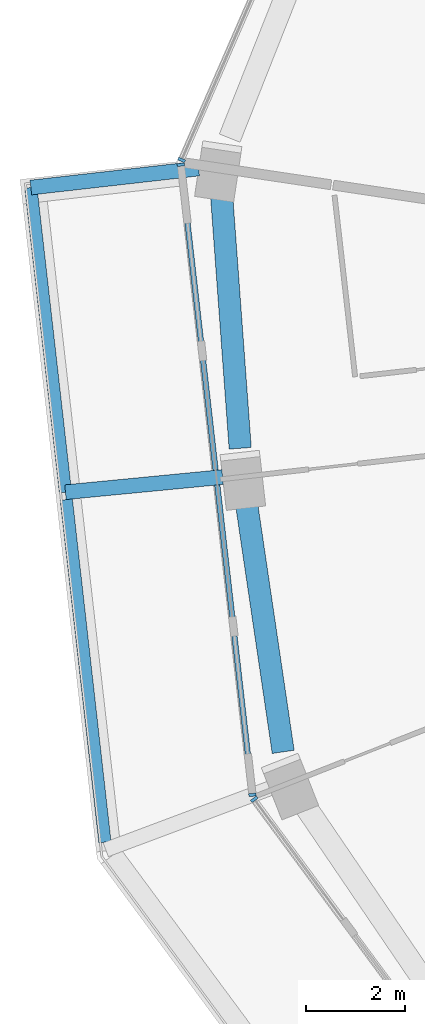
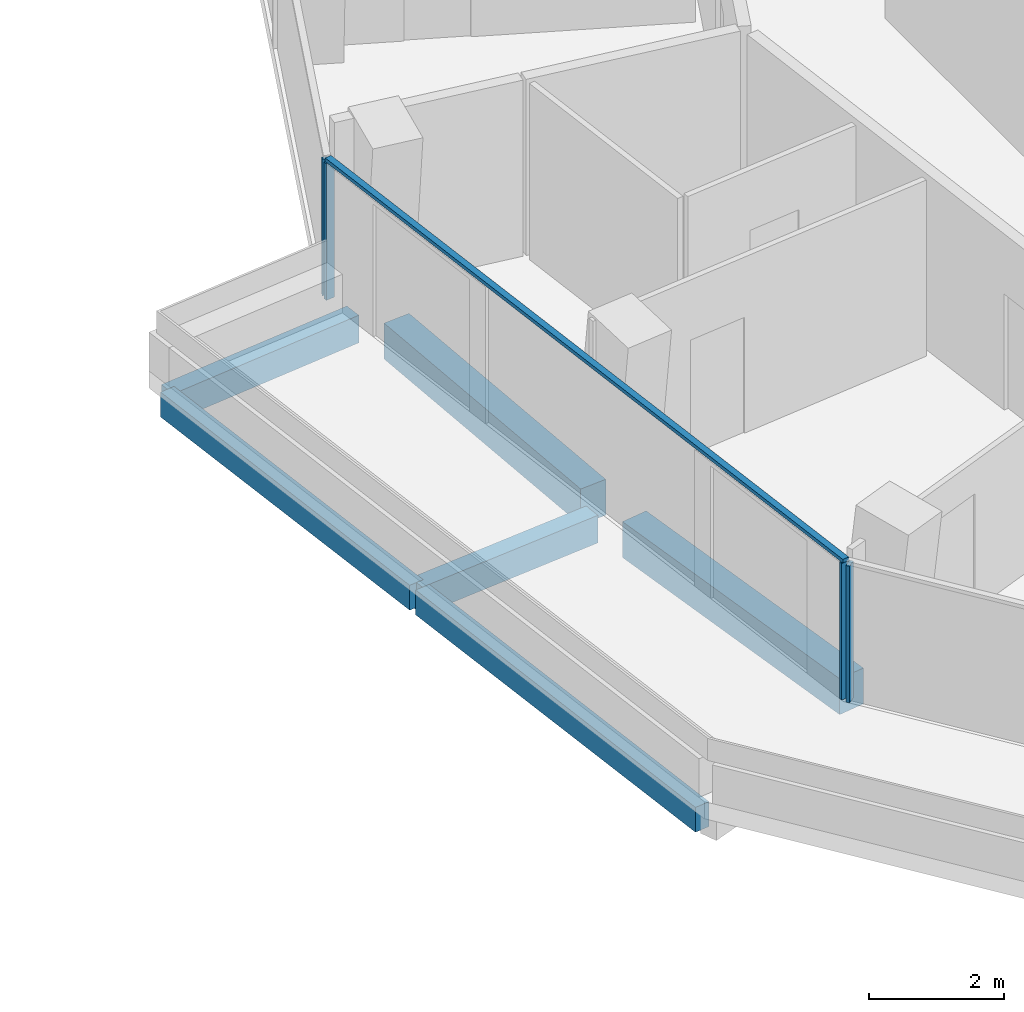
# One storey, part 4 of 23: 6 beams, 5 members, 3 elements without a shape of their own.
"""IFC4 building model written with IfcOpenShell, lengths in metres."""

from ifc_helpers import new_model, si_unit, direction, frame, origin, origin_2d, place, context, subcontext, project, spatial, rectangle, extrude, material, layer, layer_set, material_profile, profile_set, type_object, element, aggregate, save


model = new_model("IFC4")

# Units and contexts
model_context = context("Model", 3, precision=1e-05, world=origin(), true_north=direction((0.0, 1.0)))
body_context = subcontext(model_context, "Body", "Model", "MODEL_VIEW")
ifc_project = project(units=[si_unit("LENGTHUNIT", "METRE"), si_unit("AREAUNIT", "SQUARE_METRE"), si_unit("VOLUMEUNIT", "CUBIC_METRE"), si_unit("PLANEANGLEUNIT", "RADIAN"), si_unit("MASSUNIT", "GRAM", prefix="KILO")], contexts=[model_context])

# Site, building, storey
site_placement = place(None, origin())
site = spatial("IfcSite", under=ifc_project, at=site_placement, CompositionType="ELEMENT")
building_placement = place(site_placement, origin())
building = spatial("IfcBuilding", under=site, at=building_placement, Name="Verdalira Terraces Hotel", CompositionType="ELEMENT")
storey_placement = place(building_placement, frame((0.0, 0.0, 183.5)))
storey = spatial("IfcBuildingStorey", under=building, at=storey_placement, Name="L44", CompositionType="ELEMENT", Elevation=183.5)

# Beams
ifc_material_1 = material(Name="Concrete C40", Category="concrete")
ifc_material_profile_1 = material_profile(ifc_material_1, rectangle(XDim=0.300049, YDim=0.5, at=origin_2d()), Name="RC 300X500")
ifc_profile_set_1 = profile_set([ifc_material_profile_1], Name="Concrete C40")
beam_type_1 = type_object("IfcBeamType", Name="Balcony cantilever beam RC 300X500 C40", PredefinedType="BEAM", material=ifc_profile_set_1)
beam_1_placement = place(storey_placement, frame((-24.39502, 3.582031, -0.560059), z_axis=(-0.993615615, -0.112818482, 0.0), x_axis=(0.112818482, -0.993615615, 0.0)))
element("IfcBeam", 1, at=beam_1_placement, inside=storey, type_object=beam_type_1, Name="Balcony cantilever beam R12-3", PredefinedType="BEAM", context=body_context, shape_type="SweptSolid", body=[
    extrude(rectangle(XDim=0.300049, YDim=0.5, at=origin_2d()), origin(), (0.0, 0.0, 1.0), 3.423584),
])
beam_2_placement = place(storey_placement, frame((-23.908936, -2.673584, -0.560059), z_axis=(-0.995363921, -0.096180376, 0.0), x_axis=(0.096180376, -0.995363921, 0.0)))
element("IfcBeam", 2, at=beam_2_placement, inside=storey, type_object=beam_type_1, Name="Balcony cantilever beam R12-4", PredefinedType="BEAM", context=body_context, shape_type="SweptSolid", body=[
    extrude(rectangle(XDim=0.300049, YDim=0.5, at=origin_2d()), origin(), (0.0, 0.0, 1.0), 3.200928),
])
ifc_material_2 = material(Name="Concrete C40", Category="concrete")
ifc_material_profile_2 = material_profile(ifc_material_2, rectangle(XDim=0.25, YDim=0.449951, at=origin_2d()), Name="RC 250X450")
ifc_profile_set_2 = profile_set([ifc_material_profile_2], Name="Concrete C40")
beam_type_2 = type_object("IfcBeamType", Name="Balcony edge beam RC 250X450 C40", PredefinedType="BEAM", material=ifc_profile_set_2)
beam_3_placement = place(storey_placement, frame((-27.796631, 3.195801, -0.534912), z_axis=(0.112862107, -0.993610661, 0.0), x_axis=(0.993610661, 0.112862107, 0.0)))
element("IfcBeam", 3, at=beam_3_placement, inside=storey, type_object=beam_type_2, Name="Balcony edge beam R12-2", PredefinedType="BEAM", context=body_context, shape_type="SweptSolid", body=[
    extrude(rectangle(XDim=0.25, YDim=0.449951, at=origin_2d()), origin(), (0.0, 0.0, 1.0), 6.217041),
])
beam_4_placement = place(storey_placement, frame((-27.078125, -3.130615, -0.534912), z_axis=(0.112041367, -0.993703543, 0.0), x_axis=(0.993703543, 0.112041367, 0.0)))
element("IfcBeam", 4, at=beam_4_placement, inside=storey, type_object=beam_type_2, Name="Balcony edge beam R12-3", PredefinedType="BEAM", context=body_context, shape_type="SweptSolid", body=[
    extrude(rectangle(XDim=0.25, YDim=0.449951, at=origin_2d()), origin(), (0.0, 0.0, 1.0), 6.990234),
])

# Curtain wall, member
ifc_material_3 = material(Name="Clear glass", Category="glass")
ifc_layer = layer(ifc_material_3, 0.14990234375)
ifc_layer_set = layer_set([ifc_layer], Name="CW1 curtain wall")
curtain_wall_type = type_object("IfcCurtainWallType", Name="CW1 curtain wall", PredefinedType="NOTDEFINED", material=ifc_layer_set)
curtain_wall_1_placement = place(storey_placement, origin())
curtain_wall_1 = element("IfcCurtainWall", 5, at=curtain_wall_1_placement, inside=storey, type_object=curtain_wall_type, Name="CW1 curtain wall L44 edge 11", PredefinedType="NOTDEFINED")
ifc_material_4 = material(Name="Terracotta frame", Category="masonry")
ifc_material_profile_3 = material_profile(ifc_material_4, rectangle(XDim=0.060059, YDim=0.149902, at=origin_2d()), Name="MU 60x150")
ifc_profile_set_3 = profile_set([ifc_material_profile_3], Name="Terracotta frame")
member_type_1 = type_object("IfcMemberType", Name="CW1 mullion 60x150", PredefinedType="MULLION", material=ifc_profile_set_3)
member_1_placement = place(storey_placement, frame((-24.740234, 3.755127, 0.0), z_axis=(0.0, 0.0, 1.0), x_axis=(-0.399069159, -0.916920829, 0.0)))
member_1 = element("IfcMember", 6, at=member_1_placement, type_object=member_type_1, Name="CW1 mullion", PredefinedType="MULLION", context=body_context, shape_type="SweptSolid", body=[
    extrude(rectangle(XDim=0.060059, YDim=0.149902, at=origin_2d()), origin(), (0.0, 0.0, 1.0), 2.475098),
])
aggregate(curtain_wall_1, [member_1])

# Curtain wall, members
curtain_wall_2_placement = place(storey_placement, origin())
curtain_wall_2 = element("IfcCurtainWall", 7, at=curtain_wall_2_placement, inside=storey, type_object=curtain_wall_type, Name="CW1 curtain wall L44 edge 12", PredefinedType="NOTDEFINED")
member_2_placement = place(storey_placement, frame((-24.754395, 3.659424, 0.0), z_axis=(0.0, 0.0, 1.0), x_axis=(0.112856385, -0.993611311, 0.0)))
member_2 = element("IfcMember", 8, at=member_2_placement, type_object=member_type_1, Name="CW1 mullion", PredefinedType="MULLION", context=body_context, shape_type="SweptSolid", body=[
    extrude(rectangle(XDim=0.060059, YDim=0.149902, at=origin_2d()), origin(), (0.0, 0.0, 1.0), 2.475098),
])
member_3_placement = place(storey_placement, frame((-23.303223, -9.11792, 0.0), z_axis=(0.0, 0.0, 1.0), x_axis=(0.112856385, -0.993611311, 0.0)))
member_3 = element("IfcMember", 9, at=member_3_placement, type_object=member_type_1, Name="CW1 mullion", PredefinedType="MULLION", context=body_context, shape_type="SweptSolid", body=[
    extrude(rectangle(XDim=0.060059, YDim=0.149902, at=origin_2d()), origin(), (0.0, 0.0, 1.0), 2.475098),
])

# Curtain wall, member
curtain_wall_3_placement = place(storey_placement, origin())
curtain_wall_3 = element("IfcCurtainWall", 10, at=curtain_wall_3_placement, inside=storey, type_object=curtain_wall_type, Name="CW1 curtain wall L44 edge 13", PredefinedType="NOTDEFINED")
member_4_placement = place(storey_placement, frame((-23.267822, -9.208008, 0.0), z_axis=(0.0, 0.0, 1.0), x_axis=(0.594542152, -0.804064444, 0.0)))
member_4 = element("IfcMember", 11, at=member_4_placement, type_object=member_type_1, Name="CW1 mullion", PredefinedType="MULLION", context=body_context, shape_type="SweptSolid", body=[
    extrude(rectangle(XDim=0.060059, YDim=0.149902, at=origin_2d()), origin(), (0.0, 0.0, 1.0), 2.475098),
])
aggregate(curtain_wall_3, [member_4])

# Member
ifc_material_5 = material(Name="Terracotta frame", Category="masonry")
ifc_material_profile_4 = material_profile(ifc_material_5, rectangle(XDim=0.110107, YDim=0.064941, at=origin_2d()), Name="TR 65x110")
ifc_profile_set_4 = profile_set([ifc_material_profile_4], Name="Terracotta frame")
member_type_2 = type_object("IfcMemberType", Name="CW1 transom 65x110", PredefinedType="USERDEFINED", material=ifc_profile_set_4)
member_5_placement = place(storey_placement, frame((-24.757812, 3.689209, 2.507568), z_axis=(0.112853719, -0.993611613, 0.0), x_axis=(0.993611613, 0.112853719, 0.0)))
member_5 = element("IfcMember", 12, at=member_5_placement, type_object=member_type_2, Name="CW1 transom", ObjectType="TRANSOM", PredefinedType="USERDEFINED", context=body_context, shape_type="SweptSolid", body=[
    extrude(rectangle(XDim=0.110107, YDim=0.064941, at=origin_2d()), origin(), (0.0, 0.0, 1.0), 12.919434),
])

aggregate(curtain_wall_2, [member_2, member_3, member_5])

# Beams
ifc_material_6 = material(Name="Concrete C50", Category="concrete")
ifc_material_profile_5 = material_profile(ifc_material_6, rectangle(XDim=0.449951, YDim=0.649902, at=origin_2d()), Name="RC 450X650")
ifc_profile_set_5 = profile_set([ifc_material_profile_5], Name="Concrete C50")
beam_type_3 = type_object("IfcBeamType", Name="Spandrel beam RC 450X650 C50", PredefinedType="SPANDREL", material=ifc_profile_set_5)
beam_5_placement = place(storey_placement, frame((-23.933105, 3.087402, -0.63501), z_axis=(0.073398843, -0.997302667, 0.0), x_axis=(0.997302667, 0.073398843, 0.0)))
element("IfcBeam", 13, at=beam_5_placement, inside=storey, type_object=beam_type_3, Name="Spandrel beam B06", PredefinedType="SPANDREL", context=body_context, shape_type="SweptSolid", body=[
    extrude(rectangle(XDim=0.449951, YDim=0.649902, at=origin_2d()), origin(), (0.0, 0.0, 1.0), 5.192139),
])
beam_6_placement = place(storey_placement, frame((-23.438721, -3.112305, -0.63501), z_axis=(0.146122399, -0.989266518, 0.0), x_axis=(0.989266518, 0.146122399, 0.0)))
element("IfcBeam", 14, at=beam_6_placement, inside=storey, type_object=beam_type_3, Name="Spandrel beam B07", PredefinedType="SPANDREL", context=body_context, shape_type="SweptSolid", body=[
    extrude(rectangle(XDim=0.449951, YDim=0.649902, at=origin_2d()), origin(), (0.0, 0.0, 1.0), 5.189453),
])

save(model, "model.ifc")
